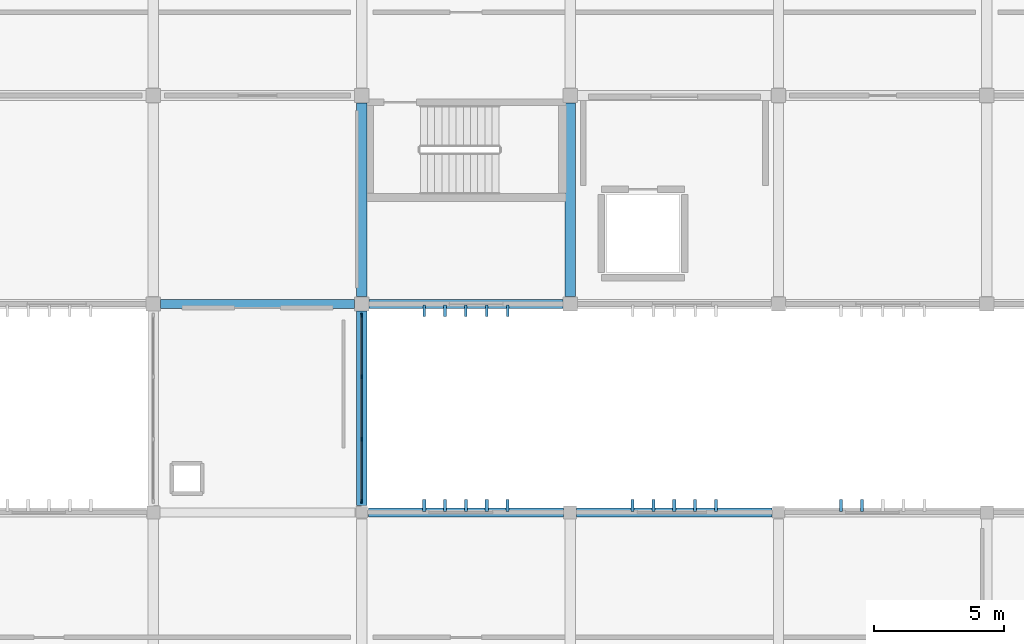
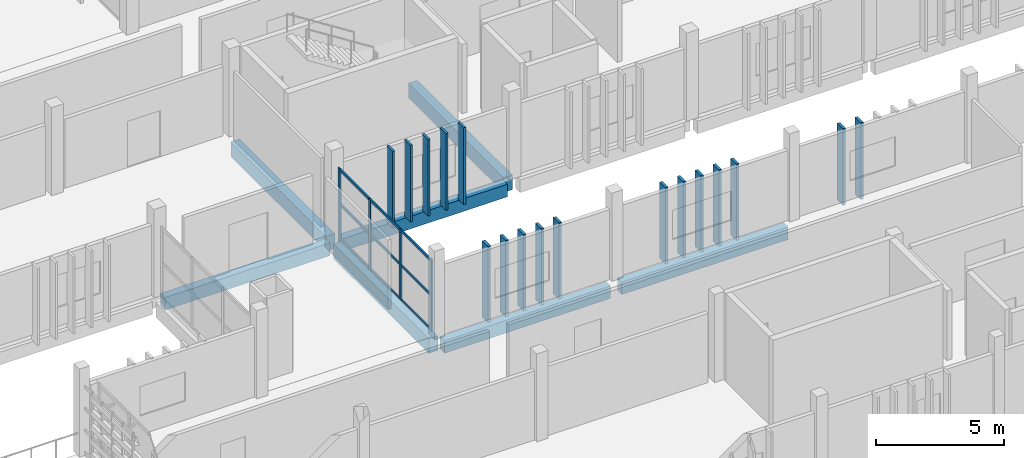
# One storey, part 16 of 63: 30 members, 7 beams, 1 element without a shape of its own.
"""IFC4 building model written with IfcOpenShell, lengths in metres."""

from ifc_helpers import new_model, si_unit, direction, frame, origin, origin_2d, place, context, subcontext, project, spatial, rectangle, extrude, material, layer, layer_set, material_profile, profile_set, type_object, element, aggregate, save


model = new_model("IFC4")

# Units and contexts
model_context = context("Model", 3, precision=1e-05, world=origin(), true_north=direction((0.0, 1.0)))
body_context = subcontext(model_context, "Body", "Model", "MODEL_VIEW")
ifc_project = project(units=[si_unit("LENGTHUNIT", "METRE"), si_unit("AREAUNIT", "SQUARE_METRE"), si_unit("VOLUMEUNIT", "CUBIC_METRE"), si_unit("PLANEANGLEUNIT", "RADIAN"), si_unit("MASSUNIT", "GRAM", prefix="KILO")], contexts=[model_context])

# Site, building, storey
site_placement = place(None, origin())
site = spatial("IfcSite", under=ifc_project, at=site_placement, CompositionType="ELEMENT")
building_placement = place(site_placement, origin())
building = spatial("IfcBuilding", under=site, at=building_placement, Name="Jelvoka-Kovrelna Polytechnic", CompositionType="ELEMENT")
storey_placement = place(building_placement, frame((0.0, 0.0, 18.0)))
storey = spatial("IfcBuildingStorey", under=building, at=storey_placement, Name="L05", CompositionType="ELEMENT", Elevation=18.0)

# Beams
ifc_material_1 = material(Name="Concrete C40/50", Category="concrete")
ifc_material_profile_1 = material_profile(ifc_material_1, rectangle(XDim=0.39990234375, YDim=0.699951171875, at=origin_2d()), Name="RC 400x700")
ifc_profile_set_1 = profile_set([ifc_material_profile_1], Name="Concrete C40/50")
beam_type_1 = type_object("IfcBeamType", Name="Beam_RC_400x700", PredefinedType="BEAM", material=ifc_profile_set_1)
for number, where, z_axis, x_axis, name in (
    (1, (80.0, 32.280029296875, -0.60009765625), (0.0, 1.0, 0.0), (-1.0, 0.0, 0.0), "L05 beam 1449"),
    (2, (88.0, 32.280029296875, -0.60009765625), (0.0, 1.0, 0.0), (-1.0, 0.0, 0.0), "L05 beam 1451"),
):
    element("IfcBeam", number, at=place(storey_placement, frame(where, z_axis=z_axis, x_axis=x_axis)), inside=storey, type_object=beam_type_1, Name=name, PredefinedType="BEAM", context=body_context, shape_type="SweptSolid", body=[
        extrude(rectangle(XDim=0.39990234375, YDim=0.699951171875, at=origin_2d()), origin(), (0.0, 0.0, 1.0), 7.43994140625),
    ])
beam_placement = place(storey_placement, frame((80.0, 24.2548828125, -0.60009765625), z_axis=(0.0, 1.0, 0.0), x_axis=(-1.0, 0.0, 0.0)))
element("IfcBeam", 3, at=beam_placement, inside=storey, type_object=beam_type_1, Name="L05 beam 1607", PredefinedType="BEAM", context=body_context, shape_type="SweptSolid", body=[
    extrude(rectangle(XDim=0.39990234375, YDim=0.699951171875, at=origin_2d()), origin(), (0.0, 0.0, 1.0), 7.465087890625),
])

# Members
ifc_material_2 = material(Name="Precast concrete C40/50", Category="concrete")
ifc_material_profile_2 = material_profile(ifc_material_2, rectangle(XDim=0.10009765625, YDim=0.449951171875, at=origin_2d()), Name="PC 100x450")
ifc_profile_set_2 = profile_set([ifc_material_profile_2], Name="Precast concrete C40/50")
member_type_1 = type_object("IfcMemberType", Name="Louvre_Fin_100x450", PredefinedType="USERDEFINED", material=ifc_profile_set_2)
for number, where, z_axis, x_axis, name in (
    (4, (82.39990234375, 31.735107421875, -0.27001953125), (0.0, 0.0, 1.0), (1.0, 0.0, 0.0), "L05 B2W south vertical solar louvre fin 0771"),
    (5, (83.199951171875, 31.735107421875, -0.27001953125), (0.0, 0.0, 1.0), (1.0, 0.0, 0.0), "L05 B2W south vertical solar louvre fin 0772"),
    (6, (84.0, 31.735107421875, -0.27001953125), (0.0, 0.0, 1.0), (1.0, 0.0, 0.0), "L05 B2W south vertical solar louvre fin 0773"),
    (7, (84.800048828125, 31.735107421875, -0.27001953125), (0.0, 0.0, 1.0), (1.0, 0.0, 0.0), "L05 B2W south vertical solar louvre fin 0774"),
    (8, (85.60009765625, 31.735107421875, -0.27001953125), (0.0, 0.0, 1.0), (1.0, 0.0, 0.0), "L05 B2W south vertical solar louvre fin 0775"),
):
    element("IfcMember", number, at=place(storey_placement, frame(where, z_axis=z_axis, x_axis=x_axis)), inside=storey, type_object=member_type_1, Name=name, ObjectType="SUNSHADE", PredefinedType="USERDEFINED", context=body_context, shape_type="SweptSolid", body=[
        extrude(rectangle(XDim=0.10009765625, YDim=0.449951171875, at=origin_2d()), origin(), (0.0, 0.0, 1.0), 3.655029296875),
    ])
ifc_material_3 = material(Name="Precast concrete C40/50", Category="concrete")
ifc_material_profile_3 = material_profile(ifc_material_3, rectangle(XDim=0.1201171875, YDim=0.449951171875, at=origin_2d()), Name="PC 120x450")
ifc_profile_set_3 = profile_set([ifc_material_profile_3], Name="Precast concrete C40/50")
member_type_2 = type_object("IfcMemberType", Name="Louvre_Fin_120x450", PredefinedType="USERDEFINED", material=ifc_profile_set_3)
for number, where, z_axis, x_axis, name in (
    (9, (82.39990234375, 24.264892578125, -0.27001953125), (0.0, 0.0, 1.0), (1.0, 0.0, 0.0), "L05 B1 north vertical solar louvre fin 0476"),
    (10, (83.199951171875, 24.264892578125, -0.27001953125), (0.0, 0.0, 1.0), (1.0, 0.0, 0.0), "L05 B1 north vertical solar louvre fin 0477"),
    (11, (84.0, 24.264892578125, -0.27001953125), (0.0, 0.0, 1.0), (1.0, 0.0, 0.0), "L05 B1 north vertical solar louvre fin 0478"),
    (12, (84.800048828125, 24.264892578125, -0.27001953125), (0.0, 0.0, 1.0), (1.0, 0.0, 0.0), "L05 B1 north vertical solar louvre fin 0479"),
    (13, (85.60009765625, 24.264892578125, -0.27001953125), (0.0, 0.0, 1.0), (1.0, 0.0, 0.0), "L05 B1 north vertical solar louvre fin 0480"),
    (14, (90.39990234375, 24.264892578125, -0.27001953125), (0.0, 0.0, 1.0), (1.0, 0.0, 0.0), "L05 B1 north vertical solar louvre fin 0486"),
    (15, (91.199951171875, 24.264892578125, -0.27001953125), (0.0, 0.0, 1.0), (1.0, 0.0, 0.0), "L05 B1 north vertical solar louvre fin 0487"),
    (16, (92.0, 24.264892578125, -0.27001953125), (0.0, 0.0, 1.0), (1.0, 0.0, 0.0), "L05 B1 north vertical solar louvre fin 0488"),
    (17, (92.800048828125, 24.264892578125, -0.27001953125), (0.0, 0.0, 1.0), (1.0, 0.0, 0.0), "L05 B1 north vertical solar louvre fin 0489"),
    (18, (93.60009765625, 24.264892578125, -0.27001953125), (0.0, 0.0, 1.0), (1.0, 0.0, 0.0), "L05 B1 north vertical solar louvre fin 0490"),
    (19, (98.39990234375, 24.264892578125, -0.27001953125), (0.0, 0.0, 1.0), (1.0, 0.0, 0.0), "L05 B1 north vertical solar louvre fin 0496"),
    (20, (99.199951171875, 24.264892578125, -0.27001953125), (0.0, 0.0, 1.0), (1.0, 0.0, 0.0), "L05 B1 north vertical solar louvre fin 0497"),
):
    element("IfcMember", number, at=place(storey_placement, frame(where, z_axis=z_axis, x_axis=x_axis)), inside=storey, type_object=member_type_2, Name=name, ObjectType="SUNSHADE", PredefinedType="USERDEFINED", context=body_context, shape_type="SweptSolid", body=[
        extrude(rectangle(XDim=0.1201171875, YDim=0.449951171875, at=origin_2d()), origin(), (0.0, 0.0, 1.0), 3.655029296875),
    ])

# Curtain wall, members
ifc_material_4 = material(Name="Anodised aluminium 6063-T6", Category="aluminium")
ifc_layer = layer(ifc_material_4, 0.159912109375)
ifc_layer_set = layer_set([ifc_layer], Name="Anodised aluminium 6063-T6")
curtain_wall_type = type_object("IfcCurtainWallType", Name="CW_LinkBridge", PredefinedType="NOTDEFINED", material=ifc_layer_set)
curtain_wall_placement = place(storey_placement, origin())
curtain_wall = element("IfcCurtainWall", 21, at=curtain_wall_placement, inside=storey, type_object=curtain_wall_type, Name="L05 glazed curtain wall 149", PredefinedType="NOTDEFINED")
ifc_material_5 = material(Name="Anodised aluminium 6063-T6", Category="aluminium")
ifc_material_profile_4 = material_profile(ifc_material_5, rectangle(XDim=0.06005859375, YDim=0.159912109375, at=origin_2d()), Name="ALU 60x160")
ifc_profile_set_4 = profile_set([ifc_material_profile_4], Name="Anodised aluminium 6063-T6")
member_type_3 = type_object("IfcMemberType", Name="Mullion_M-04", PredefinedType="MULLION", material=ifc_profile_set_4)
member_1_placement = place(storey_placement, frame((80.0, 31.570068359375, -0.02490234375), z_axis=(0.0, 0.0, 1.0), x_axis=(1.0, 0.0, 0.0)))
member_1 = element("IfcMember", 22, at=member_1_placement, type_object=member_type_3, Name="CW-04 mullion 1", PredefinedType="MULLION", context=body_context, shape_type="SweptSolid", body=[
    extrude(rectangle(XDim=0.06005859375, YDim=0.159912109375, at=origin_2d()), origin(), (0.0, 0.0, 1.0), 3.400146484375),
])
member_2_placement = place(storey_placement, frame((80.0, 29.199951171875, -0.02490234375), z_axis=(0.0, 0.0, 1.0), x_axis=(1.0, 0.0, 0.0)))
member_2 = element("IfcMember", 23, at=member_2_placement, type_object=member_type_3, Name="CW-04 mullion 2", PredefinedType="MULLION", context=body_context, shape_type="SweptSolid", body=[
    extrude(rectangle(XDim=0.06005859375, YDim=0.159912109375, at=origin_2d()), origin(), (0.0, 0.0, 1.0), 3.400146484375),
])
member_3_placement = place(storey_placement, frame((80.0, 26.800048828125, -0.02490234375), z_axis=(0.0, 0.0, 1.0), x_axis=(1.0, 0.0, 0.0)))
member_3 = element("IfcMember", 24, at=member_3_placement, type_object=member_type_3, Name="CW-04 mullion 3", PredefinedType="MULLION", context=body_context, shape_type="SweptSolid", body=[
    extrude(rectangle(XDim=0.06005859375, YDim=0.159912109375, at=origin_2d()), origin(), (0.0, 0.0, 1.0), 3.400146484375),
])
member_4_placement = place(storey_placement, frame((80.0, 24.429931640625, -0.02490234375), z_axis=(0.0, 0.0, 1.0), x_axis=(1.0, 0.0, 0.0)))
member_4 = element("IfcMember", 25, at=member_4_placement, type_object=member_type_3, Name="CW-04 mullion 4", PredefinedType="MULLION", context=body_context, shape_type="SweptSolid", body=[
    extrude(rectangle(XDim=0.06005859375, YDim=0.159912109375, at=origin_2d()), origin(), (0.0, 0.0, 1.0), 3.400146484375),
])

# Beams
ifc_material_6 = material(Name="Concrete C40/50", Category="concrete")
ifc_material_profile_5 = material_profile(ifc_material_6, rectangle(XDim=0.35009765625, YDim=0.60009765625, at=origin_2d()), Name="RC 350x600")
ifc_profile_set_5 = profile_set([ifc_material_profile_5], Name="Concrete C40/50")
beam_type_2 = type_object("IfcBeamType", Name="Spandrel_RC_350x600", PredefinedType="SPANDREL", material=ifc_profile_set_5)
for number, where, z_axis, x_axis, name in (
    (26, (80.2548828125, 24.0, -0.550048828125), (1.0, 0.0, 0.0), (0.0, 1.0, 0.0), "L05 beam 1380"),
    (27, (88.2548828125, 24.0, -0.550048828125), (1.0, 0.0, 0.0), (0.0, 1.0, 0.0), "L05 beam 1381"),
):
    element("IfcBeam", number, at=place(storey_placement, frame(where, z_axis=z_axis, x_axis=x_axis)), inside=storey, type_object=beam_type_2, Name=name, PredefinedType="SPANDREL", context=body_context, shape_type="SweptSolid", body=[
        extrude(rectangle(XDim=0.35009765625, YDim=0.60009765625, at=origin_2d()), origin(), (0.0, 0.0, 1.0), 7.490234375),
    ])
for number, where, z_axis, x_axis, name in (
    (28, (72.280029296875, 32.0, -0.550048828125), (1.0, 0.0, 0.0), (0.0, 1.0, 0.0), "L05 beam 1425"),
    (29, (80.280029296875, 32.0, -0.550048828125), (1.0, 0.0, 0.0), (0.0, 1.0, 0.0), "L05 beam 1426"),
):
    element("IfcBeam", number, at=place(storey_placement, frame(where, z_axis=z_axis, x_axis=x_axis)), inside=storey, type_object=beam_type_2, Name=name, PredefinedType="SPANDREL", context=body_context, shape_type="SweptSolid", body=[
        extrude(rectangle(XDim=0.35009765625, YDim=0.60009765625, at=origin_2d()), origin(), (0.0, 0.0, 1.0), 7.43994140625),
    ])

# Member
ifc_material_7 = material(Name="Anodised aluminium 6063-T6", Category="aluminium")
ifc_material_profile_6 = material_profile(ifc_material_7, rectangle(XDim=0.06005859375, YDim=0.1201171875, at=origin_2d()), Name="ALU 60x120")
ifc_profile_set_6 = profile_set([ifc_material_profile_6], Name="Anodised aluminium 6063-T6")
member_type_4 = type_object("IfcMemberType", Name="Transom_T-04", PredefinedType="USERDEFINED", material=ifc_profile_set_6)
member_5_placement = place(storey_placement, frame((80.0, 31.5400390625, 0.030029296875), z_axis=(0.0, -1.0, 0.0), x_axis=(1.0, 0.0, 0.0)))
member_5 = element("IfcMember", 30, at=member_5_placement, type_object=member_type_4, Name="CW-04 transom 1.1", ObjectType="TRANSOM", PredefinedType="USERDEFINED", context=body_context, shape_type="SweptSolid", body=[
    extrude(rectangle(XDim=0.06005859375, YDim=0.1201171875, at=origin_2d()), origin(), (0.0, 0.0, 1.0), 2.31005859375),
])

member_6_placement = place(storey_placement, frame((80.0, 31.5400390625, 1.675048828125), z_axis=(0.0, -1.0, 0.0), x_axis=(1.0, 0.0, 0.0)))
member_6 = element("IfcMember", 31, at=member_6_placement, type_object=member_type_4, Name="CW-04 transom 1.2", ObjectType="TRANSOM", PredefinedType="USERDEFINED", context=body_context, shape_type="SweptSolid", body=[
    extrude(rectangle(XDim=0.06005859375, YDim=0.1201171875, at=origin_2d()), origin(), (0.0, 0.0, 1.0), 2.31005859375),
])

member_7_placement = place(storey_placement, frame((80.0, 31.5400390625, 3.320068359375), z_axis=(0.0, -1.0, 0.0), x_axis=(1.0, 0.0, 0.0)))
member_7 = element("IfcMember", 32, at=member_7_placement, type_object=member_type_4, Name="CW-04 transom 1.3", ObjectType="TRANSOM", PredefinedType="USERDEFINED", context=body_context, shape_type="SweptSolid", body=[
    extrude(rectangle(XDim=0.06005859375, YDim=0.1201171875, at=origin_2d()), origin(), (0.0, 0.0, 1.0), 2.31005859375),
])

member_8_placement = place(storey_placement, frame((80.0, 29.169921875, 0.030029296875), z_axis=(0.0, -1.0, 0.0), x_axis=(1.0, 0.0, 0.0)))
member_8 = element("IfcMember", 33, at=member_8_placement, type_object=member_type_4, Name="CW-04 transom 2.1", ObjectType="TRANSOM", PredefinedType="USERDEFINED", context=body_context, shape_type="SweptSolid", body=[
    extrude(rectangle(XDim=0.06005859375, YDim=0.1201171875, at=origin_2d()), origin(), (0.0, 0.0, 1.0), 2.33984375),
])

member_9_placement = place(storey_placement, frame((80.0, 29.169921875, 1.675048828125), z_axis=(0.0, -1.0, 0.0), x_axis=(1.0, 0.0, 0.0)))
member_9 = element("IfcMember", 34, at=member_9_placement, type_object=member_type_4, Name="CW-04 transom 2.2", ObjectType="TRANSOM", PredefinedType="USERDEFINED", context=body_context, shape_type="SweptSolid", body=[
    extrude(rectangle(XDim=0.06005859375, YDim=0.1201171875, at=origin_2d()), origin(), (0.0, 0.0, 1.0), 2.33984375),
])

member_10_placement = place(storey_placement, frame((80.0, 29.169921875, 3.320068359375), z_axis=(0.0, -1.0, 0.0), x_axis=(1.0, 0.0, 0.0)))
member_10 = element("IfcMember", 35, at=member_10_placement, type_object=member_type_4, Name="CW-04 transom 2.3", ObjectType="TRANSOM", PredefinedType="USERDEFINED", context=body_context, shape_type="SweptSolid", body=[
    extrude(rectangle(XDim=0.06005859375, YDim=0.1201171875, at=origin_2d()), origin(), (0.0, 0.0, 1.0), 2.33984375),
])

member_11_placement = place(storey_placement, frame((80.0, 26.77001953125, 0.030029296875), z_axis=(0.0, -1.0, 0.0), x_axis=(1.0, 0.0, 0.0)))
member_11 = element("IfcMember", 36, at=member_11_placement, type_object=member_type_4, Name="CW-04 transom 3.1", ObjectType="TRANSOM", PredefinedType="USERDEFINED", context=body_context, shape_type="SweptSolid", body=[
    extrude(rectangle(XDim=0.06005859375, YDim=0.1201171875, at=origin_2d()), origin(), (0.0, 0.0, 1.0), 2.31005859375),
])

member_12_placement = place(storey_placement, frame((80.0, 26.77001953125, 1.675048828125), z_axis=(0.0, -1.0, 0.0), x_axis=(1.0, 0.0, 0.0)))
member_12 = element("IfcMember", 37, at=member_12_placement, type_object=member_type_4, Name="CW-04 transom 3.2", ObjectType="TRANSOM", PredefinedType="USERDEFINED", context=body_context, shape_type="SweptSolid", body=[
    extrude(rectangle(XDim=0.06005859375, YDim=0.1201171875, at=origin_2d()), origin(), (0.0, 0.0, 1.0), 2.31005859375),
])

member_13_placement = place(storey_placement, frame((80.0, 26.77001953125, 3.320068359375), z_axis=(0.0, -1.0, 0.0), x_axis=(1.0, 0.0, 0.0)))
member_13 = element("IfcMember", 38, at=member_13_placement, type_object=member_type_4, Name="CW-04 transom 3.3", ObjectType="TRANSOM", PredefinedType="USERDEFINED", context=body_context, shape_type="SweptSolid", body=[
    extrude(rectangle(XDim=0.06005859375, YDim=0.1201171875, at=origin_2d()), origin(), (0.0, 0.0, 1.0), 2.31005859375),
])

aggregate(curtain_wall, [member_1, member_2, member_3, member_4, member_5, member_6, member_7, member_8, member_9, member_10, member_11, member_12, member_13])

save(model, "model.ifc")
